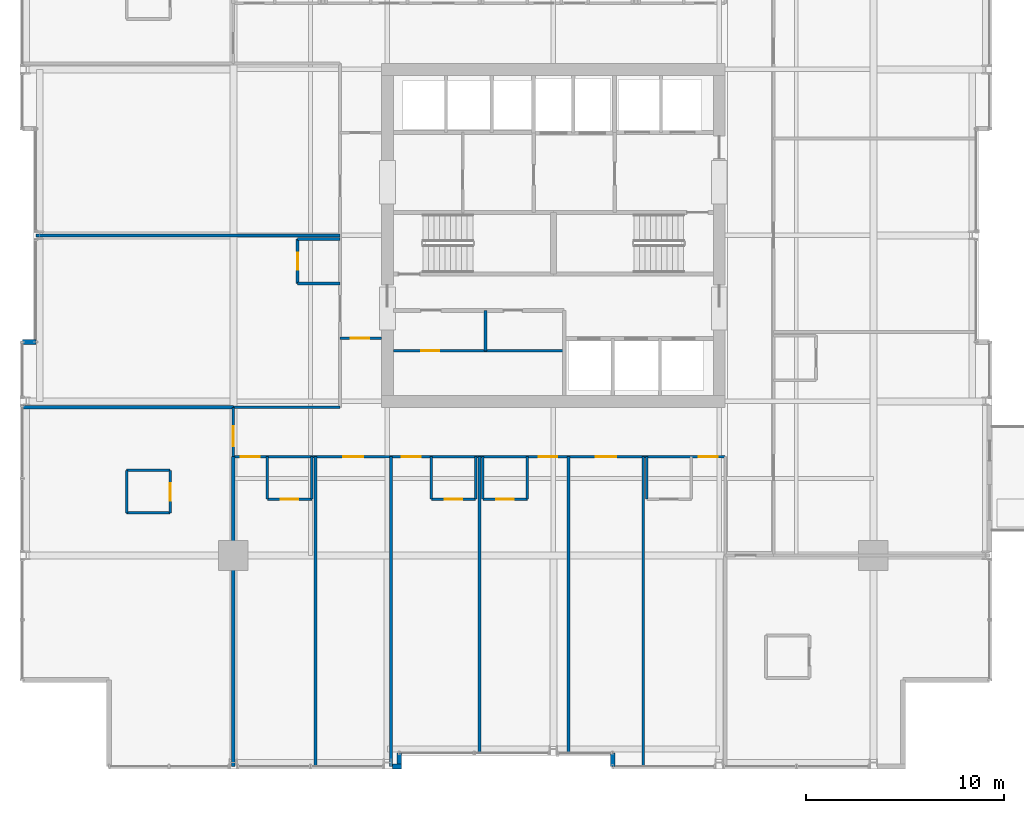
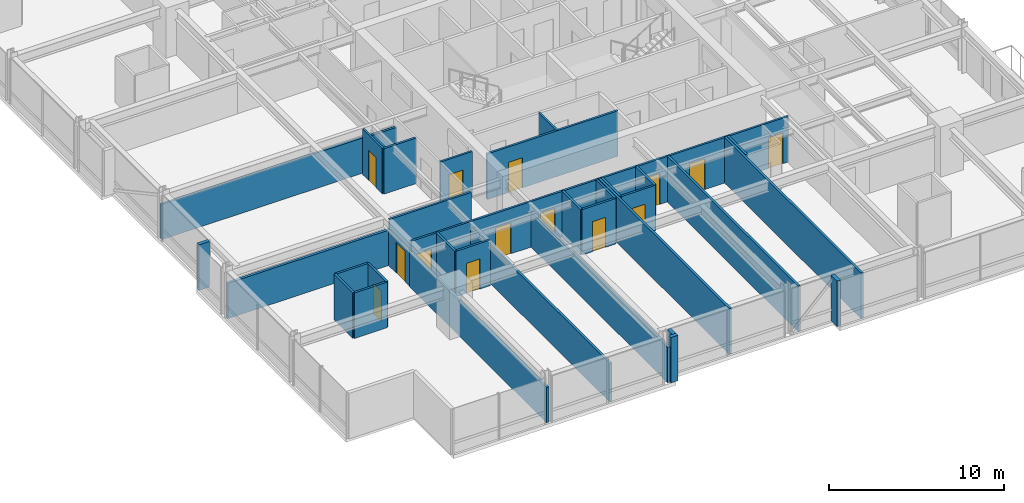
# One storey, part 28 of 35: 35 walls, 14 doors, 14 openings.
"""IFC4 building model written with IfcOpenShell, lengths in metres."""

from ifc_helpers import new_model, si_unit, direction, frame, frame_2d, origin, place, context, subcontext, project, spatial, rectangle, extrude, material, layer, layer_set, type_object, element, fill, save


model = new_model("IFC4")

# Units and contexts
model_context = context("Model", 3, precision=1e-05, world=origin(), true_north=direction((0.0, 1.0)))
body_context = subcontext(model_context, "Body", "Model", "MODEL_VIEW")
ifc_project = project(units=[si_unit("LENGTHUNIT", "METRE"), si_unit("AREAUNIT", "SQUARE_METRE"), si_unit("VOLUMEUNIT", "CUBIC_METRE"), si_unit("PLANEANGLEUNIT", "RADIAN"), si_unit("MASSUNIT", "GRAM", prefix="KILO")], contexts=[model_context])

# Site, building, storey
site_placement = place(None, origin())
site = spatial("IfcSite", under=ifc_project, at=site_placement, CompositionType="ELEMENT")
building_placement = place(site_placement, origin())
building = spatial("IfcBuilding", under=site, at=building_placement, Name="Drelvath Grand Hotel", CompositionType="ELEMENT")
storey_placement = place(building_placement, frame((0.0, 0.0, 137.300048828125)))
storey = spatial("IfcBuildingStorey", under=building, at=storey_placement, Name="L35", CompositionType="ELEMENT", Elevation=137.300048828125)

# Wall, opening, door
ifc_material_1 = material(Name="Gypsum Fireboard Partition")
ifc_layer_1 = layer(ifc_material_1, 0.135009765625)
ifc_layer_set_1 = layer_set([ifc_layer_1], Name="Gypsum Fireboard Partition")
wall_type_1 = type_object("IfcWallType", Name="Corridor Fire Barrier Wall 135", PredefinedType="PARTITIONING", material=ifc_layer_set_1)
wall_1_placement = place(storey_placement, frame((-10.800048828125, 21.800048828125, 0.0), z_axis=(0.0, 0.0, 1.0), x_axis=(1.0, 0.0, 0.0)))
wall_1 = element("IfcWall", 1, at=wall_1_placement, inside=storey, type_object=wall_type_1, Name="L35 West Foyer South Wall", PredefinedType="PARTITIONING", context=body_context, shape_type="SweptSolid", body=[
    extrude(rectangle(XDim=2.10009765625, YDim=0.135009765625, at=frame_2d((1.050048828125, 0.0))), origin(), (0.0, 0.0, 1.0), 3.179931640625),
])
opening_1_placement = place(wall_1_placement, frame((0.550048828125, 0.0, 0.0)))
opening_1 = element("IfcOpeningElement", 2, at=opening_1_placement, cuts=wall_1, Name="Opening D-T2G5-019", PredefinedType="OPENING", context=body_context, shape_type="SweptSolid", body=[
    extrude(rectangle(XDim=0.919921875, YDim=2.10009765625, at=frame_2d((0.4599609375, 1.050048828125))), frame((0.0, 0.077392578125, 0.0), z_axis=(0.0, -1.0, 0.0), x_axis=(1.0, 0.0, 0.0)), (0.0, 0.0, 1.0), 0.155029296875),
])
ifc_material_2 = material(Name="Painted Steel S275", Category="steel")
door_type_1 = type_object("IfcDoorType", Name="Staff Utility Door 920x2100", OperationType="NOTDEFINED", PredefinedType="DOOR", material=ifc_material_2)
door_1_placement = place(opening_1_placement, origin())
door_1 = element("IfcDoor", 3, at=door_1_placement, inside=storey, type_object=door_type_1, Name="L35 West Linen Closet Door", OperationType="SINGLE_SWING_RIGHT", OverallHeight=2.10009765625, OverallWidth=0.919921875, PredefinedType="DOOR", context=body_context, shape_type="SweptSolid", body=[
    extrude(rectangle(XDim=0.919921875, YDim=2.10009765625, at=frame_2d((0.4599609375, 1.050048828125))), frame((0.0, 0.02490234375, 0.0), z_axis=(0.0, -1.0, 0.0), x_axis=(1.0, 0.0, 0.0)), (0.0, 0.0, 1.0), 0.050048828125),
])
fill(opening_1, door_1)

# Wall
wall_2_placement = place(storey_placement, frame((-16.199951171875, 18.300048828125, 0.0), z_axis=(0.0, 0.0, 1.0), x_axis=(1.0, 0.0, 0.0)))
element("IfcWall", 4, at=wall_2_placement, inside=storey, type_object=wall_type_1, Name="L35 SW Stub North Wall", PredefinedType="PARTITIONING", context=body_context, shape_type="SweptSolid", body=[
    extrude(rectangle(XDim=5.39990234375, YDim=0.135009765625, at=frame_2d((2.699951171875, 0.0))), origin(), (0.0, 0.0, 1.0), 3.179931640625),
])

# Wall, openings, doors
wall_3_placement = place(storey_placement, frame((-16.199951171875, 15.800048828125, 0.0), z_axis=(0.0, 0.0, 1.0), x_axis=(1.0, 0.0, 0.0)))
wall_3 = element("IfcWall", 5, at=wall_3_placement, inside=storey, type_object=wall_type_1, Name="L35 South Stub Corridor Wall", PredefinedType="PARTITIONING", context=body_context, shape_type="SweptSolid", body=[
    extrude(rectangle(XDim=24.89990234375, YDim=0.135009765625, at=frame_2d((12.449951171875, 0.0))), origin(), (0.0, 0.0, 1.0), 3.179931640625),
])
opening_2_placement = place(wall_3_placement, frame((0.3798828125, 0.0, 0.0)))
opening_2 = element("IfcOpeningElement", 6, at=opening_2_placement, cuts=wall_3, Name="Opening D-T2G5-030", PredefinedType="OPENING", context=body_context, shape_type="SweptSolid", body=[
    extrude(rectangle(XDim=0.9599609375, YDim=2.14990234375, at=frame_2d((0.47998046875, 1.074951171875))), frame((0.0, 0.077392578125, 0.0), z_axis=(0.0, -1.0, 0.0), x_axis=(1.0, 0.0, 0.0)), (0.0, 0.0, 1.0), 0.155029296875),
])
opening_3_placement = place(wall_3_placement, frame((5.554931640625, 0.0, 0.0)))
opening_3 = element("IfcOpeningElement", 7, at=opening_3_placement, cuts=wall_3, Name="Opening D-T2G5-031", PredefinedType="OPENING", context=body_context, shape_type="SweptSolid", body=[
    extrude(rectangle(XDim=1.02001953125, YDim=2.14990234375, at=frame_2d((0.510009765625, 1.074951171875))), frame((0.0, 0.077392578125, 0.0), z_axis=(0.0, -1.0, 0.0), x_axis=(1.0, 0.0, 0.0)), (0.0, 0.0, 1.0), 0.155029296875),
])
opening_4_placement = place(wall_3_placement, frame((8.52001953125, 0.0, 0.0)))
opening_4 = element("IfcOpeningElement", 8, at=opening_4_placement, cuts=wall_3, Name="Opening D-T2G5-033", PredefinedType="OPENING", context=body_context, shape_type="SweptSolid", body=[
    extrude(rectangle(XDim=0.9599609375, YDim=2.14990234375, at=frame_2d((0.47998046875, 1.074951171875))), frame((0.0, 0.077392578125, 0.0), z_axis=(0.0, -1.0, 0.0), x_axis=(1.0, 0.0, 0.0)), (0.0, 0.0, 1.0), 0.155029296875),
])
opening_5_placement = place(wall_3_placement, frame((15.448486328125, 0.0, 0.0)))
opening_5 = element("IfcOpeningElement", 9, at=opening_5_placement, cuts=wall_3, Name="Opening D-T2G5-035", PredefinedType="OPENING", context=body_context, shape_type="SweptSolid", body=[
    extrude(rectangle(XDim=0.9599609375, YDim=2.14990234375, at=frame_2d((0.47998046875, 1.074951171875))), frame((0.0, 0.077392578125, 0.0), z_axis=(0.0, -1.0, 0.0), x_axis=(1.0, 0.0, 0.0)), (0.0, 0.0, 1.0), 0.155029296875),
])
opening_6_placement = place(wall_3_placement, frame((18.353759765625, 0.0, 0.0)))
opening_6 = element("IfcOpeningElement", 10, at=opening_6_placement, cuts=wall_3, Name="Opening D-T2G5-036", PredefinedType="OPENING", context=body_context, shape_type="SweptSolid", body=[
    extrude(rectangle(XDim=1.02001953125, YDim=2.14990234375, at=frame_2d((0.510009765625, 1.074951171875))), frame((0.0, 0.077392578125, 0.0), z_axis=(0.0, -1.0, 0.0), x_axis=(1.0, 0.0, 0.0)), (0.0, 0.0, 1.0), 0.155029296875),
])
opening_7_placement = place(wall_3_placement, frame((23.56005859375, 0.0, 0.0)))
opening_7 = element("IfcOpeningElement", 11, at=opening_7_placement, cuts=wall_3, Name="Opening D-T2G5-038", PredefinedType="OPENING", context=body_context, shape_type="SweptSolid", body=[
    extrude(rectangle(XDim=0.9599609375, YDim=2.14990234375, at=frame_2d((0.47998046875, 1.074951171875))), frame((0.0, 0.077392578125, 0.0), z_axis=(0.0, -1.0, 0.0), x_axis=(1.0, 0.0, 0.0)), (0.0, 0.0, 1.0), 0.155029296875),
])
ifc_material_3 = material(Name="Hardwood Walnut Timber", Category="wood")
door_type_2 = type_object("IfcDoorType", Name="Amenity Meeting Fire Door 1020x2150", OperationType="NOTDEFINED", PredefinedType="DOOR", material=ifc_material_3)
door_2_placement = place(opening_3_placement, origin())
door_2 = element("IfcDoor", 12, at=door_2_placement, inside=storey, type_object=door_type_2, Name="L35 Diplomatic Briefing Room Entry Door", OperationType="SINGLE_SWING_RIGHT", OverallHeight=2.14990234375, OverallWidth=1.02001953125, PredefinedType="DOOR", context=body_context, shape_type="SweptSolid", body=[
    extrude(rectangle(XDim=1.02001953125, YDim=2.14990234375, at=frame_2d((0.510009765625, 1.074951171875))), frame((0.0, 0.02490234375, 0.0), z_axis=(0.0, -1.0, 0.0), x_axis=(1.0, 0.0, 0.0)), (0.0, 0.0, 1.0), 0.050048828125),
])
fill(opening_3, door_2)
door_3_placement = place(opening_6_placement, origin())
door_3 = element("IfcDoor", 13, at=door_3_placement, inside=storey, type_object=door_type_2, Name="L35 Seminar Meeting Room Entry Door", OperationType="SINGLE_SWING_LEFT", OverallHeight=2.14990234375, OverallWidth=1.02001953125, PredefinedType="DOOR", context=body_context, shape_type="SweptSolid", body=[
    extrude(rectangle(XDim=1.02001953125, YDim=2.14990234375, at=frame_2d((0.510009765625, 1.074951171875))), frame((0.0, 0.02490234375, 0.0), z_axis=(0.0, -1.0, 0.0), x_axis=(1.0, 0.0, 0.0)), (0.0, 0.0, 1.0), 0.050048828125),
])
fill(opening_6, door_3)
door_type_3 = type_object("IfcDoorType", Name="Guestroom Entrance Fire Door 960x2150", OperationType="NOTDEFINED", PredefinedType="DOOR", material=ifc_material_3)
door_4_placement = place(opening_2_placement, origin())
door_4 = element("IfcDoor", 14, at=door_4_placement, inside=storey, type_object=door_type_3, Name="L35 Deluxe Guest Room Entry Door", OperationType="SINGLE_SWING_LEFT", OverallHeight=2.14990234375, OverallWidth=0.9599609375, PredefinedType="DOOR", context=body_context, shape_type="SweptSolid", body=[
    extrude(rectangle(XDim=0.9599609375, YDim=2.14990234375, at=frame_2d((0.47998046875, 1.074951171875))), frame((0.0, 0.02490234375, 0.0), z_axis=(0.0, -1.0, 0.0), x_axis=(1.0, 0.0, 0.0)), (0.0, 0.0, 1.0), 0.050048828125),
])
fill(opening_2, door_4)
door_5_placement = place(opening_4_placement, origin())
door_5 = element("IfcDoor", 15, at=door_5_placement, inside=storey, type_object=door_type_3, Name="L35 Deluxe Guest Room Entry Door", OperationType="SINGLE_SWING_RIGHT", OverallHeight=2.14990234375, OverallWidth=0.9599609375, PredefinedType="DOOR", context=body_context, shape_type="SweptSolid", body=[
    extrude(rectangle(XDim=0.9599609375, YDim=2.14990234375, at=frame_2d((0.47998046875, 1.074951171875))), frame((0.0, 0.02490234375, 0.0), z_axis=(0.0, -1.0, 0.0), x_axis=(1.0, 0.0, 0.0)), (0.0, 0.0, 1.0), 0.050048828125),
])
fill(opening_4, door_5)
door_6_placement = place(opening_5_placement, origin())
door_6 = element("IfcDoor", 16, at=door_6_placement, inside=storey, type_object=door_type_3, Name="L35 Deluxe Guest Room Entry Door", OperationType="SINGLE_SWING_RIGHT", OverallHeight=2.14990234375, OverallWidth=0.9599609375, PredefinedType="DOOR", context=body_context, shape_type="SweptSolid", body=[
    extrude(rectangle(XDim=0.9599609375, YDim=2.14990234375, at=frame_2d((0.47998046875, 1.074951171875))), frame((0.0, 0.02490234375, 0.0), z_axis=(0.0, -1.0, 0.0), x_axis=(1.0, 0.0, 0.0)), (0.0, 0.0, 1.0), 0.050048828125),
])
fill(opening_5, door_6)
door_7_placement = place(opening_7_placement, origin())
door_7 = element("IfcDoor", 17, at=door_7_placement, inside=storey, type_object=door_type_3, Name="L35 Deluxe Guest Room Entry Door", OperationType="SINGLE_SWING_LEFT", OverallHeight=2.14990234375, OverallWidth=0.9599609375, PredefinedType="DOOR", context=body_context, shape_type="SweptSolid", body=[
    extrude(rectangle(XDim=0.9599609375, YDim=2.14990234375, at=frame_2d((0.47998046875, 1.074951171875))), frame((0.0, 0.02490234375, 0.0), z_axis=(0.0, -1.0, 0.0), x_axis=(1.0, 0.0, 0.0)), (0.0, 0.0, 1.0), 0.050048828125),
])
fill(opening_7, door_7)

# Wall, opening, door
wall_4_placement = place(storey_placement, frame((-16.199951171875, 15.800048828125, 0.0), z_axis=(0.0, 0.0, 1.0), x_axis=(0.0, 1.0, 0.0)))
wall_4 = element("IfcWall", 18, at=wall_4_placement, inside=storey, type_object=wall_type_1, Name="L35 South Stub West End", PredefinedType="PARTITIONING", context=body_context, shape_type="SweptSolid", body=[
    extrude(rectangle(XDim=2.5, YDim=0.135009765625, at=frame_2d((1.25, 0.0))), origin(), (0.0, 0.0, 1.0), 2.469482421875),
])
opening_8_placement = place(wall_4_placement, frame((0.52001953125, 0.0, 0.0)))
opening_8 = element("IfcOpeningElement", 19, at=opening_8_placement, cuts=wall_4, Name="Opening D-T2G5-022", PredefinedType="OPENING", context=body_context, shape_type="SweptSolid", body=[
    extrude(rectangle(XDim=1.02001953125, YDim=2.14990234375, at=frame_2d((0.510009765625, 1.074951171875))), frame((0.0, 0.077392578125, 0.0), z_axis=(0.0, -1.0, 0.0), x_axis=(1.0, 0.0, 0.0)), (0.0, 0.0, 1.0), 0.155029296875),
])
door_8_placement = place(opening_8_placement, origin())
door_8 = element("IfcDoor", 20, at=door_8_placement, inside=storey, type_object=door_type_2, Name="L35 Corner Suite Entry Door", OperationType="SINGLE_SWING_LEFT", OverallHeight=2.14990234375, OverallWidth=1.02001953125, PredefinedType="DOOR", context=body_context, shape_type="SweptSolid", body=[
    extrude(rectangle(XDim=1.02001953125, YDim=2.14990234375, at=frame_2d((0.510009765625, 1.074951171875))), frame((0.0, 0.02490234375, 0.0), z_axis=(0.0, -1.0, 0.0), x_axis=(1.0, 0.0, 0.0)), (0.0, 0.0, 1.0), 0.050048828125),
])
fill(opening_8, door_8)

ifc_material_4 = material(Name="Moisture-Resistant Gypsum Board")
ifc_layer_2 = layer(ifc_material_4, 0.139892578125)
ifc_layer_set_2 = layer_set([ifc_layer_2], Name="Moisture-Resistant Gypsum Board")
wall_type_2 = type_object("IfcWallType", Name="En-Suite Plumbing Wall 140", PredefinedType="PLUMBINGWALL", material=ifc_layer_set_2)
wall_5_placement = place(storey_placement, frame((-8.10009765625, 21.159912109375, 0.0), z_axis=(0.0, 0.0, 1.0), x_axis=(1.0, 0.0, 0.0)))
wall_5 = element("IfcWall", 21, at=wall_5_placement, inside=storey, type_object=wall_type_2, Name="L35 Reclaimed Horizontal Wall", PredefinedType="PLUMBINGWALL", context=body_context, shape_type="SweptSolid", body=[
    extrude(rectangle(XDim=8.650146484375, YDim=0.139892578125, at=frame_2d((4.3251953125, 0.0))), origin(), (0.0, 0.0, 1.0), 3.179931640625),
])
opening_9_placement = place(wall_5_placement, frame((1.39990234375, 0.0, 0.0)))
opening_9 = element("IfcOpeningElement", 22, at=opening_9_placement, cuts=wall_5, Name="Opening D-T2G5-018", PredefinedType="OPENING", context=body_context, shape_type="SweptSolid", body=[
    extrude(rectangle(XDim=0.919921875, YDim=2.10009765625, at=frame_2d((0.4599609375, 1.050048828125))), frame((0.0, 0.079833984375, 0.0), z_axis=(0.0, -1.0, 0.0), x_axis=(1.0, 0.0, 0.0)), (0.0, 0.0, 1.0), 0.159912109375),
])
door_9_placement = place(opening_9_placement, origin())
door_9 = element("IfcDoor", 23, at=door_9_placement, inside=storey, type_object=door_type_1, Name="L35 Housekeeping Inner Door", OperationType="SINGLE_SWING_LEFT", OverallHeight=2.10009765625, OverallWidth=0.919921875, PredefinedType="DOOR", context=body_context, shape_type="SweptSolid", body=[
    extrude(rectangle(XDim=0.919921875, YDim=2.10009765625, at=frame_2d((0.4599609375, 1.050048828125))), frame((0.0, 0.02490234375, 0.0), z_axis=(0.0, -1.0, 0.0), x_axis=(1.0, 0.0, 0.0)), (0.0, 0.0, 1.0), 0.050048828125),
])
fill(opening_9, door_9)

# Walls
wall_6_placement = place(storey_placement, frame((-3.43994140625, 21.159912109375, 0.0), z_axis=(0.0, 0.0, 1.0), x_axis=(0.0, 1.0, 0.0)))
element("IfcWall", 24, at=wall_6_placement, inside=storey, type_object=wall_type_2, Name="L35 Staff WC Wall", PredefinedType="PLUMBINGWALL", context=body_context, shape_type="SweptSolid", body=[
    extrude(rectangle(XDim=2.0400390625, YDim=0.139892578125, at=frame_2d((1.02001953125, 0.0))), origin(), (0.0, 0.0, 1.0), 3.179931640625),
])
for number, where, z_axis, x_axis, name in (
    (25, (-21.60009765625, 12.9599609375, 0.0), (0.0, 0.0, 1.0), (1.0, 0.0, 0.0), "L35 Corner En-Suite South"),
    (26, (-21.60009765625, 15.110107421875, 0.0), (0.0, 0.0, 1.0), (1.0, 0.0, 0.0), "L35 Corner En-Suite North"),
):
    element("IfcWall", number, at=place(storey_placement, frame(where, z_axis=z_axis, x_axis=x_axis)), inside=storey, type_object=wall_type_2, Name=name, PredefinedType="PLUMBINGWALL", context=body_context, shape_type="SweptSolid", body=[
        extrude(rectangle(XDim=2.2001953125, YDim=0.139892578125, at=frame_2d((1.10009765625, 0.0))), origin(), (0.0, 0.0, 1.0), 3.179931640625),
    ])
wall_7_placement = place(storey_placement, frame((-21.60009765625, 12.9599609375, 0.0), z_axis=(0.0, 0.0, 1.0), x_axis=(0.0, 1.0, 0.0)))
element("IfcWall", 27, at=wall_7_placement, inside=storey, type_object=wall_type_2, Name="L35 Corner En-Suite West", PredefinedType="PLUMBINGWALL", context=body_context, shape_type="SweptSolid", body=[
    extrude(rectangle(XDim=2.150146484375, YDim=0.139892578125, at=frame_2d((1.0751953125, 0.0))), origin(), (0.0, 0.0, 1.0), 3.179931640625),
])

# Wall, opening, door
wall_8_placement = place(storey_placement, frame((-19.39990234375, 12.9599609375, 0.0), z_axis=(0.0, 0.0, 1.0), x_axis=(0.0, 1.0, 0.0)))
wall_8 = element("IfcWall", 28, at=wall_8_placement, inside=storey, type_object=wall_type_2, Name="L35 Corner En-Suite East", PredefinedType="PLUMBINGWALL", context=body_context, shape_type="SweptSolid", body=[
    extrude(rectangle(XDim=2.150146484375, YDim=0.139892578125, at=frame_2d((1.0751953125, 0.0))), origin(), (0.0, 0.0, 1.0), 3.179931640625),
])
opening_10_placement = place(wall_8_placement, frame((0.6201171875, 0.0, 0.0)))
opening_10 = element("IfcOpeningElement", 29, at=opening_10_placement, cuts=wall_8, Name="Opening D-T2G5-021", PredefinedType="OPENING", context=body_context, shape_type="SweptSolid", body=[
    extrude(rectangle(XDim=0.8798828125, YDim=2.10009765625, at=frame_2d((0.43994140625, 1.050048828125))), frame((0.0, 0.079833984375, 0.0), z_axis=(0.0, -1.0, 0.0), x_axis=(1.0, 0.0, 0.0)), (0.0, 0.0, 1.0), 0.159912109375),
])
door_type_4 = type_object("IfcDoorType", Name="En-Suite Bathroom Door 880x2100", OperationType="NOTDEFINED", PredefinedType="DOOR", material=ifc_material_3)
door_10_placement = place(opening_10_placement, origin())
door_10 = element("IfcDoor", 30, at=door_10_placement, inside=storey, type_object=door_type_4, Name="L35 Corner En-Suite Door", OperationType="SINGLE_SWING_RIGHT", OverallHeight=2.10009765625, OverallWidth=0.8798828125, PredefinedType="DOOR", context=body_context, shape_type="SweptSolid", body=[
    extrude(rectangle(XDim=0.8798828125, YDim=2.10009765625, at=frame_2d((0.43994140625, 1.050048828125))), frame((0.0, 0.02490234375, 0.0), z_axis=(0.0, -1.0, 0.0), x_axis=(1.0, 0.0, 0.0)), (0.0, 0.0, 1.0), 0.050048828125),
])
fill(opening_10, door_10)

# Walls
wall_9_placement = place(storey_placement, frame((-14.47998046875, 15.800048828125, 0.0), z_axis=(0.0, 0.0, 1.0), x_axis=(0.0, -1.0, 0.0)))
element("IfcWall", 31, at=wall_9_placement, inside=storey, type_object=wall_type_2, Name="L35 En-Suite Left Wall", PredefinedType="PLUMBINGWALL", context=body_context, shape_type="SweptSolid", body=[
    extrude(rectangle(XDim=2.150146484375, YDim=0.139892578125, at=frame_2d((1.0751953125, 0.0))), origin(), (0.0, 0.0, 1.0), 3.179931640625),
])
wall_10_placement = place(storey_placement, frame((-12.22998046875, 15.800048828125, 0.0), z_axis=(0.0, 0.0, 1.0), x_axis=(0.0, -1.0, 0.0)))
element("IfcWall", 32, at=wall_10_placement, inside=storey, type_object=wall_type_2, Name="L35 En-Suite Right Wall", PredefinedType="PLUMBINGWALL", context=body_context, shape_type="SweptSolid", body=[
    extrude(rectangle(XDim=2.150146484375, YDim=0.139892578125, at=frame_2d((1.0751953125, 0.0))), origin(), (0.0, 0.0, 1.0), 2.704833984375),
])

# Wall, opening, door
wall_11_placement = place(storey_placement, frame((-14.47998046875, 13.64990234375, 0.0), z_axis=(0.0, 0.0, 1.0), x_axis=(1.0, 0.0, 0.0)))
wall_11 = element("IfcWall", 33, at=wall_11_placement, inside=storey, type_object=wall_type_2, Name="L35 En-Suite Front Wall", PredefinedType="PLUMBINGWALL", context=body_context, shape_type="SweptSolid", body=[
    extrude(rectangle(XDim=2.25, YDim=0.139892578125, at=frame_2d((1.125, 0.0))), origin(), (0.0, 0.0, 1.0), 3.179931640625),
])
opening_11_placement = place(wall_11_placement, frame((0.68505859375, 0.0, 0.0)))
opening_11 = element("IfcOpeningElement", 34, at=opening_11_placement, cuts=wall_11, Name="Opening D-T2G5-029", PredefinedType="OPENING", context=body_context, shape_type="SweptSolid", body=[
    extrude(rectangle(XDim=0.8798828125, YDim=2.10009765625, at=frame_2d((0.43994140625, 1.050048828125))), frame((0.0, 0.079833984375, 0.0), z_axis=(0.0, -1.0, 0.0), x_axis=(1.0, 0.0, 0.0)), (0.0, 0.0, 1.0), 0.159912109375),
])
door_11_placement = place(opening_11_placement, origin())
door_11 = element("IfcDoor", 35, at=door_11_placement, inside=storey, type_object=door_type_4, Name="L35 En-Suite Bathroom Door", OperationType="SINGLE_SWING_RIGHT", OverallHeight=2.10009765625, OverallWidth=0.8798828125, PredefinedType="DOOR", context=body_context, shape_type="SweptSolid", body=[
    extrude(rectangle(XDim=0.8798828125, YDim=2.10009765625, at=frame_2d((0.43994140625, 1.050048828125))), frame((0.0, 0.02490234375, 0.0), z_axis=(0.0, -1.0, 0.0), x_axis=(1.0, 0.0, 0.0)), (0.0, 0.0, 1.0), 0.050048828125),
])
fill(opening_11, door_11)

# Walls
for number, where, z_axis, x_axis, name in (
    (36, (-6.179931640625, 15.800048828125, 0.0), (0.0, 0.0, 1.0), (0.0, -1.0, 0.0), "L35 En-Suite Left Wall"),
    (37, (-3.929931640625, 15.800048828125, 0.0), (0.0, 0.0, 1.0), (0.0, -1.0, 0.0), "L35 En-Suite Right Wall"),
):
    element("IfcWall", number, at=place(storey_placement, frame(where, z_axis=z_axis, x_axis=x_axis)), inside=storey, type_object=wall_type_2, Name=name, PredefinedType="PLUMBINGWALL", context=body_context, shape_type="SweptSolid", body=[
        extrude(rectangle(XDim=2.150146484375, YDim=0.139892578125, at=frame_2d((1.0751953125, 0.0))), origin(), (0.0, 0.0, 1.0), 3.179931640625),
    ])

# Wall, opening, door
wall_12_placement = place(storey_placement, frame((-6.179931640625, 13.64990234375, 0.0), z_axis=(0.0, 0.0, 1.0), x_axis=(1.0, 0.0, 0.0)))
wall_12 = element("IfcWall", 38, at=wall_12_placement, inside=storey, type_object=wall_type_2, Name="L35 En-Suite Front Wall", PredefinedType="PLUMBINGWALL", context=body_context, shape_type="SweptSolid", body=[
    extrude(rectangle(XDim=2.25, YDim=0.139892578125, at=frame_2d((1.125, 0.0))), origin(), (0.0, 0.0, 1.0), 3.179931640625),
])
opening_12_placement = place(wall_12_placement, frame((0.68505859375, 0.0, 0.0)))
opening_12 = element("IfcOpeningElement", 39, at=opening_12_placement, cuts=wall_12, Name="Opening D-T2G5-032", PredefinedType="OPENING", context=body_context, shape_type="SweptSolid", body=[
    extrude(rectangle(XDim=0.8798828125, YDim=2.10009765625, at=frame_2d((0.43994140625, 1.050048828125))), frame((0.0, 0.079833984375, 0.0), z_axis=(0.0, -1.0, 0.0), x_axis=(1.0, 0.0, 0.0)), (0.0, 0.0, 1.0), 0.159912109375),
])
door_12_placement = place(opening_12_placement, origin())
door_12 = element("IfcDoor", 40, at=door_12_placement, inside=storey, type_object=door_type_4, Name="L35 En-Suite Bathroom Door", OperationType="SINGLE_SWING_LEFT", OverallHeight=2.10009765625, OverallWidth=0.8798828125, PredefinedType="DOOR", context=body_context, shape_type="SweptSolid", body=[
    extrude(rectangle(XDim=0.8798828125, YDim=2.10009765625, at=frame_2d((0.43994140625, 1.050048828125))), frame((0.0, 0.02490234375, 0.0), z_axis=(0.0, -1.0, 0.0), x_axis=(1.0, 0.0, 0.0)), (0.0, 0.0, 1.0), 0.050048828125),
])
fill(opening_12, door_12)

# Walls
for number, where, z_axis, x_axis, name in (
    (41, (-3.570068359375, 15.800048828125, 0.0), (0.0, 0.0, 1.0), (0.0, -1.0, 0.0), "L35 En-Suite Left Wall"),
    (42, (-1.320068359375, 15.800048828125, 0.0), (0.0, 0.0, 1.0), (0.0, -1.0, 0.0), "L35 En-Suite Right Wall"),
):
    element("IfcWall", number, at=place(storey_placement, frame(where, z_axis=z_axis, x_axis=x_axis)), inside=storey, type_object=wall_type_2, Name=name, PredefinedType="PLUMBINGWALL", context=body_context, shape_type="SweptSolid", body=[
        extrude(rectangle(XDim=2.150146484375, YDim=0.139892578125, at=frame_2d((1.0751953125, 0.0))), origin(), (0.0, 0.0, 1.0), 3.179931640625),
    ])

# Wall, opening, door
wall_13_placement = place(storey_placement, frame((-3.570068359375, 13.64990234375, 0.0), z_axis=(0.0, 0.0, 1.0), x_axis=(1.0, 0.0, 0.0)))
wall_13 = element("IfcWall", 43, at=wall_13_placement, inside=storey, type_object=wall_type_2, Name="L35 En-Suite Front Wall", PredefinedType="PLUMBINGWALL", context=body_context, shape_type="SweptSolid", body=[
    extrude(rectangle(XDim=2.25, YDim=0.139892578125, at=frame_2d((1.125, 0.0))), origin(), (0.0, 0.0, 1.0), 3.179931640625),
])
opening_13_placement = place(wall_13_placement, frame((0.68505859375, 0.0, 0.0)))
opening_13 = element("IfcOpeningElement", 44, at=opening_13_placement, cuts=wall_13, Name="Opening D-T2G5-034", PredefinedType="OPENING", context=body_context, shape_type="SweptSolid", body=[
    extrude(rectangle(XDim=0.8798828125, YDim=2.10009765625, at=frame_2d((0.43994140625, 1.050048828125))), frame((0.0, 0.079833984375, 0.0), z_axis=(0.0, -1.0, 0.0), x_axis=(1.0, 0.0, 0.0)), (0.0, 0.0, 1.0), 0.159912109375),
])
door_13_placement = place(opening_13_placement, origin())
door_13 = element("IfcDoor", 45, at=door_13_placement, inside=storey, type_object=door_type_4, Name="L35 En-Suite Bathroom Door", OperationType="SINGLE_SWING_LEFT", OverallHeight=2.10009765625, OverallWidth=0.8798828125, PredefinedType="DOOR", context=body_context, shape_type="SweptSolid", body=[
    extrude(rectangle(XDim=0.8798828125, YDim=2.10009765625, at=frame_2d((0.43994140625, 1.050048828125))), frame((0.0, 0.02490234375, 0.0), z_axis=(0.0, -1.0, 0.0), x_axis=(1.0, 0.0, 0.0)), (0.0, 0.0, 1.0), 0.050048828125),
])
fill(opening_13, door_13)

# Walls
wall_14_placement = place(storey_placement, frame((4.72998046875, 15.800048828125, 0.0), z_axis=(0.0, 0.0, 1.0), x_axis=(0.0, -1.0, 0.0)))
element("IfcWall", 46, at=wall_14_placement, inside=storey, type_object=wall_type_2, Name="L35 En-Suite Left Wall", PredefinedType="PLUMBINGWALL", context=body_context, shape_type="SweptSolid", body=[
    extrude(rectangle(XDim=2.150146484375, YDim=0.139892578125, at=frame_2d((1.0751953125, 0.0))), origin(), (0.0, 0.0, 1.0), 3.179931640625),
])
wall_15_placement = place(storey_placement, frame((-10.800048828125, 24.570068359375, 0.0), z_axis=(0.0, 0.0, 1.0), x_axis=(-1.0, 0.0, 0.0)))
element("IfcWall", 47, at=wall_15_placement, inside=storey, type_object=wall_type_2, Name="L35 En-Suite Left Wall", PredefinedType="PLUMBINGWALL", context=body_context, shape_type="SweptSolid", body=[
    extrude(rectangle(XDim=2.14990234375, YDim=0.139892578125, at=frame_2d((1.074951171875, 0.0))), origin(), (0.0, 0.0, 1.0), 3.179931640625),
])
wall_16_placement = place(storey_placement, frame((-10.800048828125, 26.820068359375, 0.0), z_axis=(0.0, 0.0, 1.0), x_axis=(-1.0, 0.0, 0.0)))
element("IfcWall", 48, at=wall_16_placement, inside=storey, type_object=wall_type_2, Name="L35 En-Suite Right Wall", PredefinedType="PLUMBINGWALL", context=body_context, shape_type="SweptSolid", body=[
    extrude(rectangle(XDim=2.14990234375, YDim=0.139892578125, at=frame_2d((1.074951171875, 0.0))), origin(), (0.0, 0.0, 1.0), 2.557373046875),
])

# Wall, opening, door
wall_17_placement = place(storey_placement, frame((-12.949951171875, 24.570068359375, 0.0), z_axis=(0.0, 0.0, 1.0), x_axis=(0.0, 1.0, 0.0)))
wall_17 = element("IfcWall", 49, at=wall_17_placement, inside=storey, type_object=wall_type_2, Name="L35 En-Suite Front Wall", PredefinedType="PLUMBINGWALL", context=body_context, shape_type="SweptSolid", body=[
    extrude(rectangle(XDim=2.25, YDim=0.139892578125, at=frame_2d((1.125, 0.0))), origin(), (0.0, 0.0, 1.0), 3.179931640625),
])
opening_14_placement = place(wall_17_placement, frame((0.68505859375, 0.0, 0.0)))
opening_14 = element("IfcOpeningElement", 50, at=opening_14_placement, cuts=wall_17, Name="Opening D-T2G5-055", PredefinedType="OPENING", context=body_context, shape_type="SweptSolid", body=[
    extrude(rectangle(XDim=0.8798828125, YDim=2.10009765625, at=frame_2d((0.43994140625, 1.050048828125))), frame((0.0, 0.079833984375, 0.0), z_axis=(0.0, -1.0, 0.0), x_axis=(1.0, 0.0, 0.0)), (0.0, 0.0, 1.0), 0.159912109375),
])
door_14_placement = place(opening_14_placement, origin())
door_14 = element("IfcDoor", 51, at=door_14_placement, inside=storey, type_object=door_type_4, Name="L35 En-Suite Bathroom Door", OperationType="SINGLE_SWING_RIGHT", OverallHeight=2.10009765625, OverallWidth=0.8798828125, PredefinedType="DOOR", context=body_context, shape_type="SweptSolid", body=[
    extrude(rectangle(XDim=0.8798828125, YDim=2.10009765625, at=frame_2d((0.43994140625, 1.050048828125))), frame((0.0, 0.02490234375, 0.0), z_axis=(0.0, -1.0, 0.0), x_axis=(1.0, 0.0, 0.0)), (0.0, 0.0, 1.0), 0.050048828125),
])
fill(opening_14, door_14)

# Walls
ifc_material_5 = material(Name="Gypsum Acoustic Partition")
ifc_layer_3 = layer(ifc_material_5, 0.14990234375)
ifc_layer_set_3 = layer_set([ifc_layer_3], Name="Gypsum Acoustic Partition")
wall_type_3 = type_object("IfcWallType", Name="Guestroom Demising Wall 150", PredefinedType="PARTITIONING", material=ifc_layer_set_3)
wall_18_placement = place(storey_placement, frame((-12.050048828125, 0.1201171875, 0.0), z_axis=(0.0, 0.0, 1.0), x_axis=(0.0, 1.0, 0.0)))
element("IfcWall", 52, at=wall_18_placement, inside=storey, type_object=wall_type_3, Name="L35 South Demising 1", PredefinedType="PARTITIONING", context=body_context, shape_type="SweptSolid", body=[
    extrude(rectangle(XDim=15.679931640625, YDim=0.14990234375, at=frame_2d((7.83984375, 0.0))), origin(), (0.0, 0.0, 1.0), 2.704833984375),
])
wall_19_placement = place(storey_placement, frame((-8.219970703125, 0.1201171875, 0.0), z_axis=(0.0, 0.0, 1.0), x_axis=(0.0, 1.0, 0.0)))
element("IfcWall", 53, at=wall_19_placement, inside=storey, type_object=wall_type_3, Name="L35 South Demising 2", PredefinedType="PARTITIONING", context=body_context, shape_type="SweptSolid", body=[
    extrude(rectangle(XDim=15.679931640625, YDim=0.14990234375, at=frame_2d((7.83984375, 0.0))), origin(), (0.0, 0.0, 1.0), 2.469482421875),
])
for number, where, z_axis, x_axis, name in (
    (54, (-3.75, 0.800048828125, 0.0), (0.0, 0.0, 1.0), (0.0, 1.0, 0.0), "L35 South Demising 3"),
    (55, (0.77734375, 0.800048828125, 0.0), (0.0, 0.0, 1.0), (0.0, 1.0, 0.0), "L35 South Demising 4"),
):
    element("IfcWall", number, at=place(storey_placement, frame(where, z_axis=z_axis, x_axis=x_axis)), inside=storey, type_object=wall_type_3, Name=name, PredefinedType="PARTITIONING", context=body_context, shape_type="SweptSolid", body=[
        extrude(rectangle(XDim=15.0, YDim=0.14990234375, at=frame_2d((7.5, 0.0))), origin(), (0.0, 0.0, 1.0), 3.179931640625),
    ])
wall_20_placement = place(storey_placement, frame((4.550048828125, 0.1201171875, 0.0), z_axis=(0.0, 0.0, 1.0), x_axis=(0.0, 1.0, 0.0)))
element("IfcWall", 56, at=wall_20_placement, inside=storey, type_object=wall_type_3, Name="L35 South Demising 5", PredefinedType="PARTITIONING", context=body_context, shape_type="SweptSolid", body=[
    extrude(rectangle(XDim=15.679931640625, YDim=0.14990234375, at=frame_2d((7.83984375, 0.0))), origin(), (0.0, 0.0, 1.0), 3.179931640625),
])
wall_21_placement = place(storey_placement, frame((-26.199951171875, 27.0, 0.0), z_axis=(0.0, 0.0, 1.0), x_axis=(1.0, 0.0, 0.0)))
element("IfcWall", 57, at=wall_21_placement, inside=storey, type_object=wall_type_3, Name="L35 West Suite Demising Wall", PredefinedType="PARTITIONING", context=body_context, shape_type="SweptSolid", body=[
    extrude(rectangle(XDim=15.39990234375, YDim=0.14990234375, at=frame_2d((7.699951171875, 0.0))), origin(), (0.0, 0.0, 1.0), 2.469482421875),
])
ifc_layer_4 = layer(ifc_material_5, 0.1650390625)
ifc_layer_set_4 = layer_set([ifc_layer_4], Name="Gypsum Acoustic Partition")
wall_type_4 = type_object("IfcWallType", Name="Suite Demising Wall 165", PredefinedType="PARTITIONING", material=ifc_layer_set_4)
wall_22_placement = place(storey_placement, frame((-16.199951171875, 0.1201171875, 0.0), z_axis=(0.0, 0.0, 1.0), x_axis=(0.0, 1.0, 0.0)))
element("IfcWall", 58, at=wall_22_placement, inside=storey, type_object=wall_type_4, Name="L35 SW Suite East Wall", PredefinedType="PARTITIONING", context=body_context, shape_type="SweptSolid", body=[
    extrude(rectangle(XDim=15.679931640625, YDim=0.1650390625, at=frame_2d((7.83984375, 0.0))), origin(), (0.0, 0.0, 1.0), 2.469482421875),
])
wall_23_placement = place(storey_placement, frame((-26.8798828125, 18.300048828125, 0.0), z_axis=(0.0, 0.0, 1.0), x_axis=(1.0, 0.0, 0.0)))
element("IfcWall", 59, at=wall_23_placement, inside=storey, type_object=wall_type_4, Name="L35 SW Suite North Wall", PredefinedType="PARTITIONING", context=body_context, shape_type="SweptSolid", body=[
    extrude(rectangle(XDim=10.679931640625, YDim=0.1650390625, at=frame_2d((5.33984375, 0.0))), origin(), (0.0, 0.0, 1.0), 2.469482421875),
])
ifc_material_6 = material(Name="Pale-Metal Insulated Aluminium Spandrel Assembly", Category="aluminium")
ifc_layer_5 = layer(ifc_material_6, 0.239990234375)
ifc_layer_set_5 = layer_set([ifc_layer_5], Name="Pale-Metal Insulated Aluminium Spandrel Assembly")
wall_type_5 = type_object("IfcWallType", Name="Tower Insulated Metal Spandrel Closure Wall 240", PredefinedType="STANDARD", material=ifc_layer_set_5)
wall_24_placement = place(storey_placement, frame((-7.679931640625, 0.1201171875, 0.0), z_axis=(0.0, 0.0, 1.0), x_axis=(-1.0, 0.0, 0.0)))
element("IfcWall", 60, at=wall_24_placement, inside=storey, type_object=wall_type_5, Name="L35 Corner Pier Spandrel Wall SW3", PredefinedType="STANDARD", context=body_context, shape_type="SweptSolid", body=[
    extrude(rectangle(XDim=0.465087890625, YDim=0.239990234375, at=frame_2d((0.232421875, 0.0))), origin(), (0.0, 0.0, 1.0), 3.179931640625),
])
for number, where, z_axis, x_axis, name in (
    (61, (-26.8798828125, 21.60009765625, 0.0), (0.0, 0.0, 1.0), (1.0, 0.0, 0.0), "L35 Notched Corner Return Spandrel Wall RW1"),
    (62, (3.0, 0.1201171875, 0.0), (0.0, 0.0, 1.0), (0.0, 1.0, 0.0), "L35 Notched Corner Return Spandrel Wall RS1"),
):
    element("IfcWall", number, at=place(storey_placement, frame(where, z_axis=z_axis, x_axis=x_axis)), inside=storey, type_object=wall_type_5, Name=name, PredefinedType="STANDARD", context=body_context, shape_type="SweptSolid", body=[
        extrude(rectangle(XDim=0.679931640625, YDim=0.239990234375, at=frame_2d((0.33984375, 0.0))), origin(), (0.0, 0.0, 1.0), 3.179931640625),
    ])
wall_25_placement = place(storey_placement, frame((-7.800048828125, 0.800048828125, 0.0), z_axis=(0.0, 0.0, 1.0), x_axis=(0.0, -1.0, 0.0)))
element("IfcWall", 63, at=wall_25_placement, inside=storey, type_object=wall_type_5, Name="L35 Notched Corner Return Spandrel Wall RS2", PredefinedType="STANDARD", context=body_context, shape_type="SweptSolid", body=[
    extrude(rectangle(XDim=0.56005859375, YDim=0.239990234375, at=frame_2d((0.280029296875, 0.0))), origin(), (0.0, 0.0, 1.0), 3.179931640625),
])

save(model, "model.ifc")
